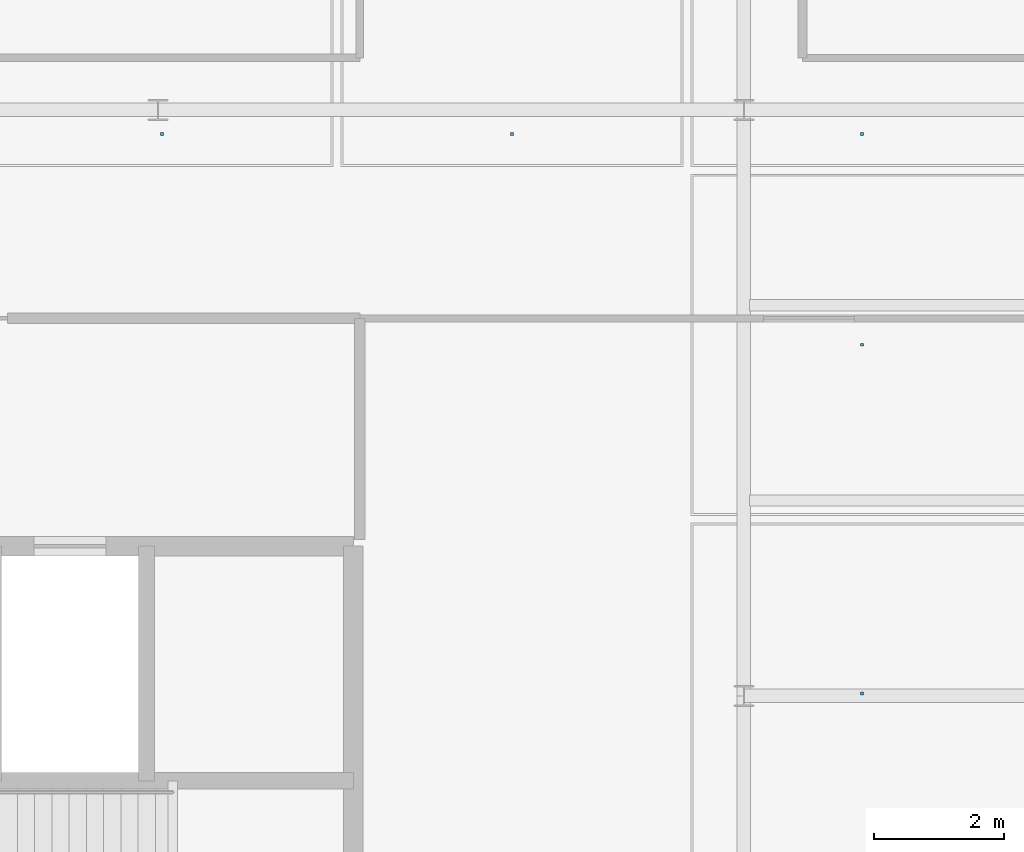
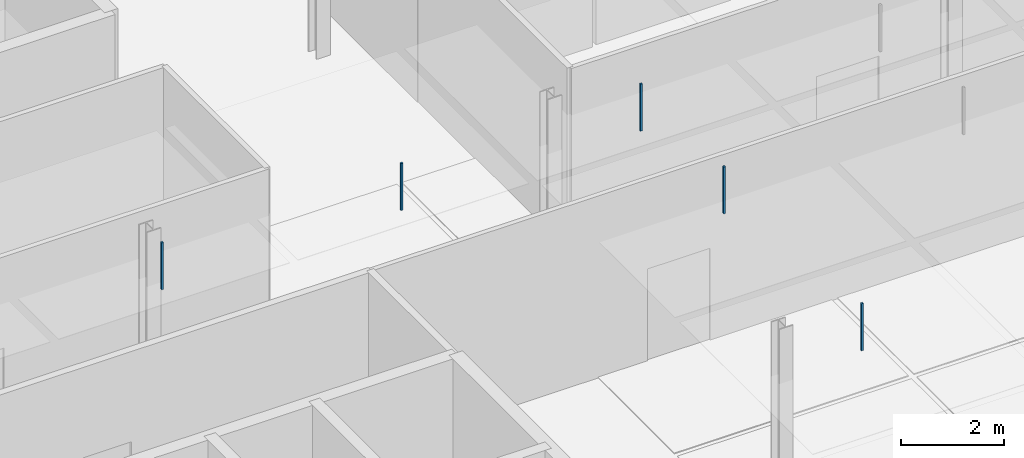
# One storey, part 67 of 89: 5 discrete accessories.
"""IFC4 building model written with IfcOpenShell, lengths in metres."""

from ifc_helpers import new_model, si_unit, direction, frame, origin, origin_2d, place, context, subcontext, project, spatial, rectangle, extrude, material, type_object, element, save


model = new_model("IFC4")

# Units and contexts
model_context = context("Model", 3, precision=1e-05, world=origin(), true_north=direction((0.0, 1.0)))
body_context = subcontext(model_context, "Body", "Model", "MODEL_VIEW")
ifc_project = project(units=[si_unit("LENGTHUNIT", "METRE"), si_unit("AREAUNIT", "SQUARE_METRE"), si_unit("VOLUMEUNIT", "CUBIC_METRE"), si_unit("PLANEANGLEUNIT", "RADIAN"), si_unit("MASSUNIT", "GRAM", prefix="KILO"), si_unit("THERMODYNAMICTEMPERATUREUNIT", "KELVIN"), si_unit("POWERUNIT", "WATT")], contexts=[model_context])

# Site, building, storey
site_placement = place(None, origin())
site = spatial("IfcSite", under=ifc_project, at=site_placement, CompositionType="ELEMENT")
building_placement = place(site_placement, origin())
building = spatial("IfcBuilding", under=site, at=building_placement, Name="Tallowbark Science Centre", CompositionType="ELEMENT")
storey_placement = place(building_placement, frame((0.0, 0.0, 14.39990234375)))
storey = spatial("IfcBuildingStorey", under=building, at=storey_placement, Name="L03", CompositionType="ELEMENT", Elevation=14.39990234375)

# Discrete accessories
ifc_material = material(Name="Galvanised Steel Grade C350L0 (350 MPa)", Category="steel")
discrete_accessory_type = type_object("IfcDiscreteAccessoryType", Name="ACC-CLG-HNG", PredefinedType="BRACKET", material=ifc_material)
for number, where, z_axis, x_axis, name in (
    (1, (121.5625, 89.630615234375, 3.2060546875), (0.0, 0.0, 1.0), (1.0, 0.0, 0.0), "Ceiling Hanger Bracket L03-1035"),
    (2, (126.9375, 89.630615234375, 3.2060546875), (0.0, 0.0, 1.0), (1.0, 0.0, 0.0), "Ceiling Hanger Bracket L03-1037"),
    (3, (132.3125, 81.03564453125, 3.2060546875), (0.0, 0.0, 1.0), (1.0, 0.0, 0.0), "Ceiling Hanger Bracket L03-1040"),
    (4, (132.3125, 86.392822265625, 3.2060546875), (0.0, 0.0, 1.0), (1.0, 0.0, 0.0), "Ceiling Hanger Bracket L03-1041"),
    (5, (132.3125, 89.630615234375, 3.2060546875), (0.0, 0.0, 1.0), (1.0, 0.0, 0.0), "Ceiling Hanger Bracket L03-1042"),
):
    element("IfcDiscreteAccessory", number, at=place(storey_placement, frame(where, z_axis=z_axis, x_axis=x_axis)), inside=storey, type_object=discrete_accessory_type, Name=name, PredefinedType="BRACKET", context=body_context, shape_type="SweptSolid", body=[
        extrude(rectangle(XDim=0.044921875, YDim=0.044921875, at=origin_2d()), origin(), (0.0, 0.0, 1.0), 1.116943359375),
    ])

save(model, "model.ifc")
